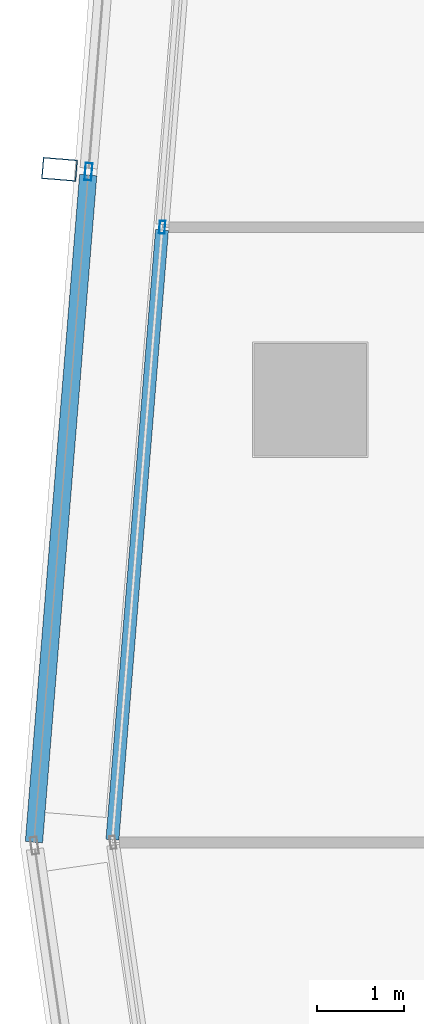
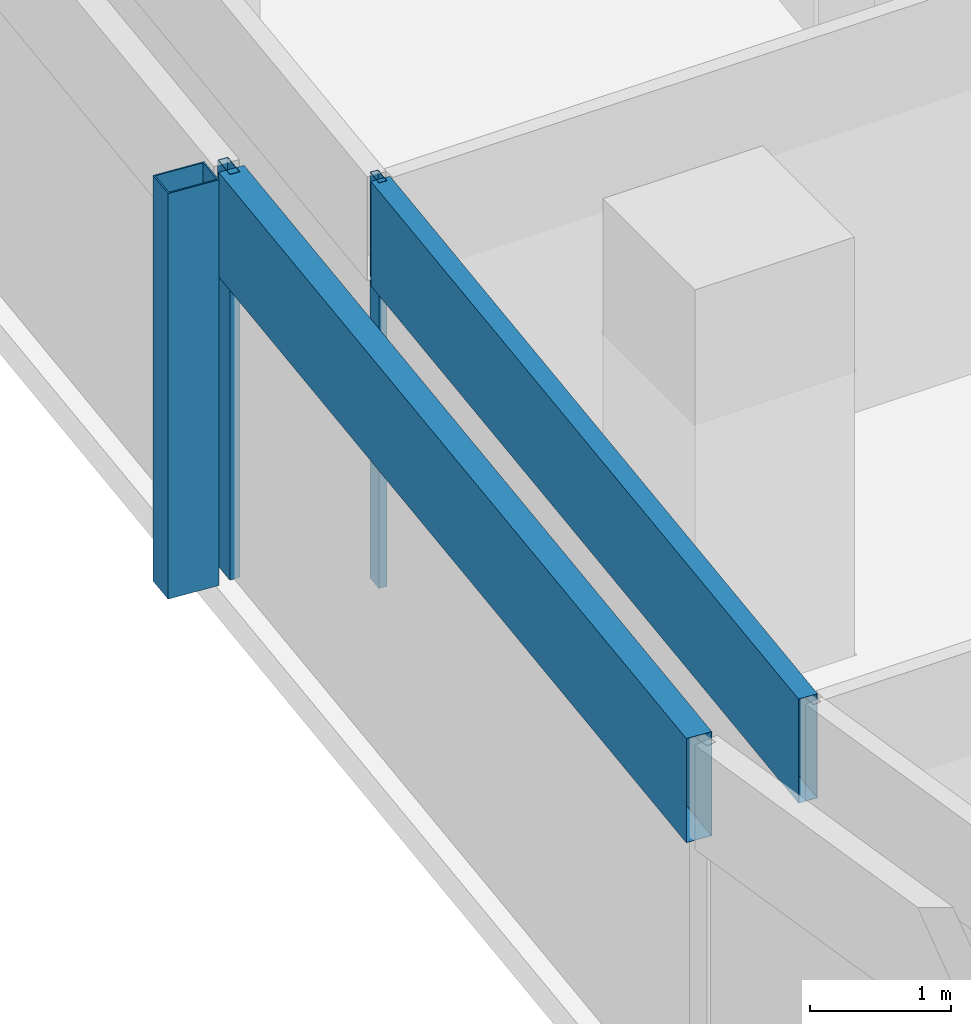
# One storey, part 7 of 30: 5 members, 2 elements without a shape of their own.
"""IFC4 building model written with IfcOpenShell, lengths in metres."""

from ifc_helpers import new_model, si_unit, direction, frame, origin, origin_2d, place, context, subcontext, project, spatial, hollow_rectangle, extrude, material, material_profile, profile_set, type_object, element, aggregate, save


model = new_model("IFC4")

# Units and contexts
model_context = context("Model", 3, precision=1e-05, world=origin(), true_north=direction((0.0, 1.0)))
body_context = subcontext(model_context, "Body", "Model", "MODEL_VIEW")
ifc_project = project(units=[si_unit("LENGTHUNIT", "METRE"), si_unit("AREAUNIT", "SQUARE_METRE"), si_unit("VOLUMEUNIT", "CUBIC_METRE"), si_unit("PLANEANGLEUNIT", "RADIAN"), si_unit("MASSUNIT", "GRAM", prefix="KILO")], contexts=[model_context])

# Site, building, storey
site_placement = place(None, origin())
site = spatial("IfcSite", under=ifc_project, at=site_placement, CompositionType="ELEMENT")
building_placement = place(site_placement, origin())
building = spatial("IfcBuilding", under=site, at=building_placement, Name="Rekha Terrace Tower", CompositionType="ELEMENT")
storey_placement = place(building_placement, frame((0.0, 0.0, 272.60009765625)))
storey = spatial("IfcBuildingStorey", under=building, at=storey_placement, Name="L69", CompositionType="ELEMENT", Elevation=272.60009765625)

# Curtain wall, member
ifc_material_1 = material(Name="Aluminium framing", Category="aluminium")
curtain_wall_type_1 = type_object("IfcCurtainWallType", Name="CW2 double skin outer glazing", PredefinedType="USERDEFINED", material=ifc_material_1)
curtain_wall_1_placement = place(storey_placement, origin())
curtain_wall_1 = element("IfcCurtainWall", 1, at=curtain_wall_1_placement, inside=storey, type_object=curtain_wall_type_1, Name="CW2 double skin outer glazing", ObjectType="DOUBLE SKIN OUTER GLAZING", PredefinedType="USERDEFINED")
ifc_material_2 = material(Name="Steel S355 with fluorocarbon finish", Category="steel")
ifc_material_profile_1 = material_profile(ifc_material_2, hollow_rectangle(XDim=0.25, YDim=0.39990234375, WallThickness=0.012451171875, at=origin_2d()), Name="RHS400x250x12.5")
ifc_profile_set_1 = profile_set([ifc_material_profile_1], Name="Steel S355 with fluorocarbon finish")
member_type_1 = type_object("IfcMemberType", Name="BL1 facade blade RHS 400 x 250", PredefinedType="USERDEFINED", material=ifc_profile_set_1)
member_1_placement = place(storey_placement, frame((5.506103515625, 36.257568359375, 0.0), z_axis=(0.0, 0.0, 1.0), x_axis=(-0.081068747348, -0.996708512156, 0.0)))
member_1 = element("IfcMember", 2, at=member_1_placement, type_object=member_type_1, Name="Facade blade", ObjectType="FACADE BLADE", PredefinedType="USERDEFINED", context=body_context, shape_type="SweptSolid", body=[
    extrude(hollow_rectangle(XDim=0.25, YDim=0.39990234375, WallThickness=0.012451171875, at=origin_2d()), origin(), (0.0, 0.0, 1.0), 3.5),
])

# Curtain wall, members
curtain_wall_type_2 = type_object("IfcCurtainWallType", Name="CW1 double skin inner glazing", PredefinedType="USERDEFINED", material=ifc_material_1)
curtain_wall_2_placement = place(storey_placement, origin())
curtain_wall_2 = element("IfcCurtainWall", 3, at=curtain_wall_2_placement, inside=storey, type_object=curtain_wall_type_2, Name="CW1 double skin inner glazing", ObjectType="DOUBLE SKIN INNER GLAZING", PredefinedType="USERDEFINED")
ifc_material_3 = material(Name="Aluminium mullion section", Category="aluminium")
ifc_material_profile_2 = material_profile(ifc_material_3, hollow_rectangle(XDim=0.06494140625, YDim=0.14990234375, WallThickness=0.00390625, at=origin_2d()), Name="AL RHS 65x150")
ifc_profile_set_2 = profile_set([ifc_material_profile_2], Name="Aluminium mullion section")
member_type_2 = type_object("IfcMemberType", Name="CW1 mullion RHS 65 x 150", PredefinedType="MULLION", material=ifc_profile_set_2)
member_2_placement = place(storey_placement, frame((6.69091796875, 35.58984375, 0.0), z_axis=(0.0, 0.0, 1.0), x_axis=(0.996708580524, -0.081067906781, 0.0)))
member_2 = element("IfcMember", 4, at=member_2_placement, type_object=member_type_2, Name="CW1 mullion 3", PredefinedType="MULLION", context=body_context, shape_type="SweptSolid", body=[
    extrude(hollow_rectangle(XDim=0.06494140625, YDim=0.14990234375, WallThickness=0.00390625, at=origin_2d()), origin(), (0.0, 0.0, 1.0), 3.5),
])
ifc_material_4 = material(Name="Insulated aluminium spandrel box", Category="aluminium")
ifc_material_profile_3 = material_profile(ifc_material_4, hollow_rectangle(XDim=0.14990234375, YDim=0.89990234375, WallThickness=0.0029296875, at=origin_2d()), Name="AL SPANDREL BOX 150x900")
ifc_profile_set_3 = profile_set([ifc_material_profile_3], Name="Insulated aluminium spandrel box")
member_type_3 = type_object("IfcMemberType", Name="CW1 spandrel transom 150 x 900", PredefinedType="USERDEFINED", material=ifc_profile_set_3)
member_3_placement = place(storey_placement, frame((6.688232421875, 35.557373046875, 3.0498046875), z_axis=(-0.081052724461, -0.996709815271, 0.0), x_axis=(0.996709815271, -0.081052724461, 0.0)))
member_3 = element("IfcMember", 5, at=member_3_placement, type_object=member_type_3, Name="CW1 spandrel transom 3", ObjectType="TRANSOM", PredefinedType="USERDEFINED", context=body_context, shape_type="SweptSolid", body=[
    extrude(hollow_rectangle(XDim=0.14990234375, YDim=0.89990234375, WallThickness=0.0029296875, at=origin_2d()), origin(), (0.0, 0.0, 1.0), 7.057373046875),
])
aggregate(curtain_wall_2, [member_2, member_3])

# Member
ifc_material_profile_4 = material_profile(ifc_material_3, hollow_rectangle(XDim=0.080078125, YDim=0.199951171875, WallThickness=0.00390625, at=origin_2d()), Name="AL RHS 80x200")
ifc_profile_set_4 = profile_set([ifc_material_profile_4], Name="Aluminium mullion section")
member_type_4 = type_object("IfcMemberType", Name="CW2 mullion RHS 80 x 200", PredefinedType="MULLION", material=ifc_profile_set_4)
member_4_placement = place(storey_placement, frame((5.840087890625, 36.23046875, 0.0), z_axis=(0.0, 0.0, 1.0), x_axis=(0.996708580521, -0.081067906816, 0.0)))
member_4 = element("IfcMember", 6, at=member_4_placement, type_object=member_type_4, Name="CW2 mullion 3", PredefinedType="MULLION", context=body_context, shape_type="SweptSolid", body=[
    extrude(hollow_rectangle(XDim=0.080078125, YDim=0.199951171875, WallThickness=0.00390625, at=origin_2d()), origin(), (0.0, 0.0, 1.0), 3.5),
])

ifc_material_profile_5 = material_profile(ifc_material_4, hollow_rectangle(XDim=0.199951171875, YDim=0.89990234375, WallThickness=0.0029296875, at=origin_2d()), Name="AL SPANDREL BOX 200x900")
ifc_profile_set_5 = profile_set([ifc_material_profile_5], Name="Insulated aluminium spandrel box")
member_type_5 = type_object("IfcMemberType", Name="CW2 spandrel transom 200 x 900", PredefinedType="USERDEFINED", material=ifc_profile_set_5)
member_5_placement = place(storey_placement, frame((5.8369140625, 36.190673828125, 3.0498046875), z_axis=(-0.08107481866, -0.996708018318, 0.0), x_axis=(0.996708018318, -0.08107481866, 0.0)))
member_5 = element("IfcMember", 7, at=member_5_placement, type_object=member_type_5, Name="CW2 spandrel transom 3", ObjectType="TRANSOM", PredefinedType="USERDEFINED", context=body_context, shape_type="SweptSolid", body=[
    extrude(hollow_rectangle(XDim=0.199951171875, YDim=0.89990234375, WallThickness=0.0029296875, at=origin_2d()), origin(), (0.0, 0.0, 1.0), 7.720947265625),
])

aggregate(curtain_wall_1, [member_4, member_5, member_1])

save(model, "model.ifc")
